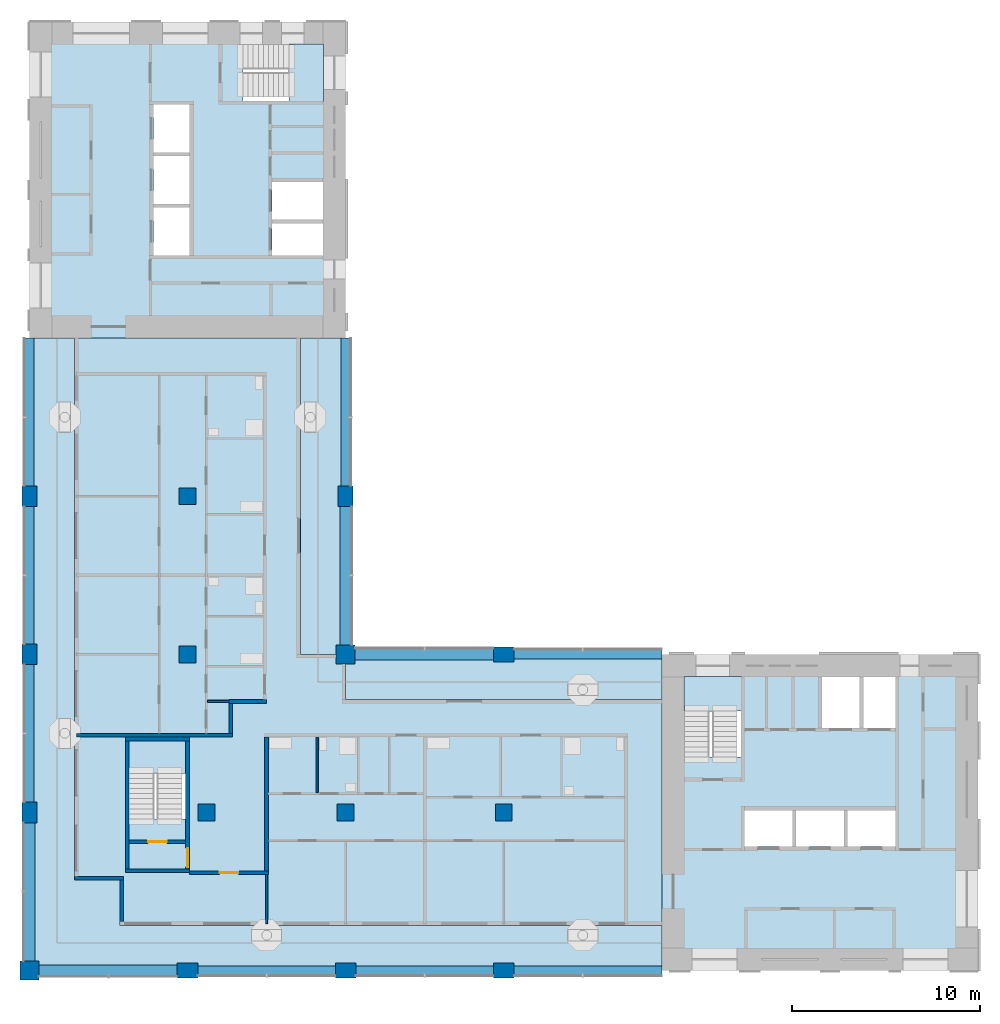
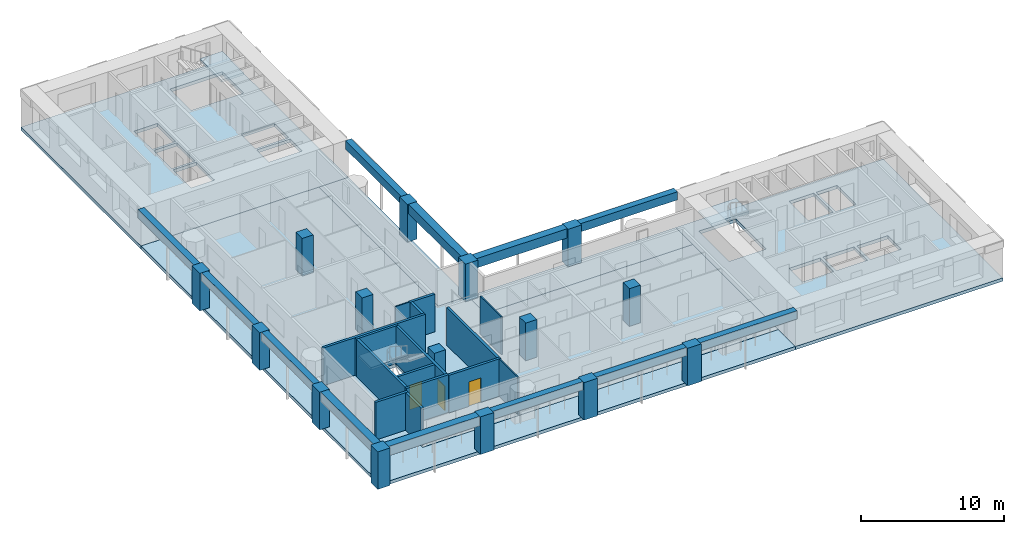
# One storey, part 1 of 12: 15 columns, 15 walls, 12 beams, 10 slabs, 3 doors, 3 openings, 3 elements without a shape of their own.
"""IFC4 building model written with IfcOpenShell, lengths in metres."""

from ifc_helpers import new_model, si_unit, direction, frame, frame_2d, origin, origin_2d, place, context, subcontext, project, spatial, polyline, rectangle, outline, extrude, material, layer, layer_set, material_profile, profile_set, type_object, element, fill, aggregate, save


model = new_model("IFC4")

# Units and contexts
model_context = context("Model", 3, precision=1e-05, world=origin(), true_north=direction((0.0, 1.0)))
body_context = subcontext(model_context, "Body", "Model", "MODEL_VIEW")
ifc_project = project(units=[si_unit("LENGTHUNIT", "METRE"), si_unit("AREAUNIT", "SQUARE_METRE"), si_unit("VOLUMEUNIT", "CUBIC_METRE"), si_unit("PLANEANGLEUNIT", "RADIAN"), si_unit("MASSUNIT", "GRAM", prefix="KILO")], contexts=[model_context])

# Site, building, storey
site_placement = place(None, origin())
site = spatial("IfcSite", under=ifc_project, at=site_placement, CompositionType="ELEMENT")
building_placement = place(site_placement, origin())
building = spatial("IfcBuilding", under=site, at=building_placement, Name="Vermilion Gate Residences", CompositionType="ELEMENT")
storey_placement = place(building_placement, frame((0.0, 0.0, 221.199951171875)))
storey = spatial("IfcBuildingStorey", under=building, at=storey_placement, Name="L57", CompositionType="ELEMENT", Elevation=221.199951171875)

# Columns
ifc_material_1 = material(Name="Concrete C50", Category="concrete")
ifc_material_profile_1 = material_profile(ifc_material_1, rectangle(XDim=1.0, YDim=1.0, at=origin_2d()), Name="RC-1000x1000")
ifc_profile_set_1 = profile_set([ifc_material_profile_1], Name="Concrete C50")
column_type_1 = type_object("IfcColumnType", Name="RC COLUMN 1000 X 1000 C50", PredefinedType="COLUMN", material=ifc_profile_set_1)
for number, where, z_axis, x_axis, name in (
    (1, (8.39990234375, 8.39990234375, 0.0), (0.0, 0.0, 1.0), (1.0, 0.0, 0.0), "Column 2-B L57"),
    (2, (25.199951171875, 25.199951171875, 0.0), (0.0, 0.0, 1.0), (1.0, 0.0, 0.0), "Column 4-D L57"),
):
    element("IfcColumn", number, at=place(storey_placement, frame(where, z_axis=z_axis, x_axis=x_axis)), inside=storey, type_object=column_type_1, Name=name, PredefinedType="COLUMN", context=body_context, shape_type="SweptSolid", body=[
        extrude(rectangle(XDim=1.0, YDim=1.0, at=origin_2d()), origin(), (0.0, 0.0, 1.0), 3.219970703125),
    ])
ifc_material_2 = material(Name="Concrete C50", Category="concrete")
ifc_material_profile_2 = material_profile(ifc_material_2, rectangle(XDim=1.10009765625, YDim=0.800048828125, at=origin_2d()), Name="RC-1100x800")
ifc_profile_set_2 = profile_set([ifc_material_profile_2], Name="Concrete C50")
column_type_2 = type_object("IfcColumnType", Name="RC COLUMN 1100 X 800 C50", PredefinedType="COLUMN", material=ifc_profile_set_2)
for number, where, z_axis, x_axis, name in (
    (3, (8.39990234375, 16.800048828125, 0.0), (0.0, 0.0, 1.0), (0.0, 1.0, 0.0), "Column 2-C L57"),
    (4, (8.39990234375, 25.199951171875, 0.0), (0.0, 0.0, 1.0), (0.0, 1.0, 0.0), "Column 2-D L57"),
    (5, (8.39990234375, 33.60009765625, 0.0), (0.0, 0.0, 1.0), (0.0, 1.0, 0.0), "Column 2-E L57"),
    (6, (16.800048828125, 8.39990234375, 0.0), (0.0, 0.0, 1.0), (1.0, 0.0, 0.0), "Column 3-B L57"),
    (7, (25.199951171875, 8.39990234375, 0.0), (0.0, 0.0, 1.0), (1.0, 0.0, 0.0), "Column 4-B L57"),
    (8, (25.199951171875, 33.60009765625, 0.0), (0.0, 0.0, 1.0), (0.0, 1.0, 0.0), "Column 4-E L57"),
    (9, (33.60009765625, 8.39990234375, 0.0), (0.0, 0.0, 1.0), (1.0, 0.0, 0.0), "Column 5-B L57"),
    (10, (33.60009765625, 25.199951171875, 0.0), (0.0, 0.0, 1.0), (1.0, 0.0, 0.0), "Column 5-D L57"),
):
    element("IfcColumn", number, at=place(storey_placement, frame(where, z_axis=z_axis, x_axis=x_axis)), inside=storey, type_object=column_type_2, Name=name, PredefinedType="COLUMN", context=body_context, shape_type="SweptSolid", body=[
        extrude(rectangle(XDim=1.10009765625, YDim=0.800048828125, at=origin_2d()), origin(), (0.0, 0.0, 1.0), 3.219970703125),
    ])
ifc_material_3 = material(Name="Concrete C50", Category="concrete")
ifc_material_profile_3 = material_profile(ifc_material_3, rectangle(XDim=0.89990234375, YDim=0.89990234375, at=origin_2d()), Name="RC-900x900")
ifc_profile_set_3 = profile_set([ifc_material_profile_3], Name="Concrete C50")
column_type_3 = type_object("IfcColumnType", Name="RC COLUMN 900 X 900 C50", PredefinedType="COLUMN", material=ifc_profile_set_3)
for number, where, z_axis, x_axis, name in (
    (11, (17.800048828125, 16.800048828125, 0.0), (0.0, 0.0, 1.0), (1.0, 0.0, 0.0), "Column 3-C L57"),
    (12, (16.800048828125, 25.199951171875, 0.0), (0.0, 0.0, 1.0), (1.0, 0.0, 0.0), "Column 3-D L57"),
    (13, (16.800048828125, 33.60009765625, 0.0), (0.0, 0.0, 1.0), (1.0, 0.0, 0.0), "Column 3-E L57"),
    (14, (25.199951171875, 16.800048828125, 0.0), (0.0, 0.0, 1.0), (1.0, 0.0, 0.0), "Column 4-C L57"),
    (15, (33.60009765625, 16.800048828125, 0.0), (0.0, 0.0, 1.0), (1.0, 0.0, 0.0), "Column 5-C L57"),
):
    element("IfcColumn", number, at=place(storey_placement, frame(where, z_axis=z_axis, x_axis=x_axis)), inside=storey, type_object=column_type_3, Name=name, PredefinedType="COLUMN", context=body_context, shape_type="SweptSolid", body=[
        extrude(rectangle(XDim=0.89990234375, YDim=0.89990234375, at=origin_2d()), origin(), (0.0, 0.0, 1.0), 3.219970703125),
    ])

# Beams
ifc_material_4 = material(Name="Concrete C60 red-oxide pigmented", Category="concrete")
ifc_material_profile_4 = material_profile(ifc_material_4, rectangle(XDim=0.60009765625, YDim=0.800048828125, at=origin_2d()), Name="RC-600x800")
ifc_profile_set_4 = profile_set([ifc_material_profile_4], Name="Concrete C60 red-oxide pigmented")
beam_type_1 = type_object("IfcBeamType", Name="RC CORNER EDGE BEAM 600 X 800 C60", PredefinedType="BEAM", material=ifc_profile_set_4)
for number, where, z_axis, x_axis, name in (
    (16, (8.89990234375, 8.39990234375, 2.820068359375), (1.0, 0.0, 0.0), (0.0, 1.0, 0.0), "Corner edge beam L57 1"),
    (17, (8.39990234375, 8.89990234375, 2.820068359375), (0.0, 1.0, 0.0), (-1.0, 0.0, 0.0), "Corner edge beam L57 2"),
    (18, (25.199951171875, 25.699951171875, 2.820068359375), (0.0, 1.0, 0.0), (-1.0, 0.0, 0.0), "Corner edge beam L57 7"),
    (19, (25.699951171875, 25.199951171875, 2.820068359375), (1.0, 0.0, 0.0), (0.0, 1.0, 0.0), "Corner edge beam L57 10"),
):
    element("IfcBeam", number, at=place(storey_placement, frame(where, z_axis=z_axis, x_axis=x_axis)), inside=storey, type_object=beam_type_1, Name=name, PredefinedType="BEAM", context=body_context, shape_type="SweptSolid", body=[
        extrude(rectangle(XDim=0.60009765625, YDim=0.800048828125, at=origin_2d()), origin(), (0.0, 0.0, 1.0), 7.35009765625),
    ])
ifc_material_5 = material(Name="Concrete C60 red-oxide pigmented", Category="concrete")
ifc_material_profile_5 = material_profile(ifc_material_5, rectangle(XDim=0.5, YDim=0.699951171875, at=origin_2d()), Name="RC-500x700")
ifc_profile_set_5 = profile_set([ifc_material_profile_5], Name="Concrete C60 red-oxide pigmented")
beam_type_2 = type_object("IfcBeamType", Name="RC EDGE BEAM 500 X 700 C60", PredefinedType="BEAM", material=ifc_profile_set_5)
beam_1_placement = place(storey_placement, frame((8.39990234375, 17.35009765625, 2.8701171875), z_axis=(0.0, 1.0, 0.0), x_axis=(-1.0, 0.0, 0.0)))
element("IfcBeam", 20, at=beam_1_placement, inside=storey, type_object=beam_type_2, Name="Edge beam L57 3", PredefinedType="BEAM", context=body_context, shape_type="SweptSolid", body=[
    extrude(rectangle(XDim=0.5, YDim=0.699951171875, at=origin_2d()), origin(), (0.0, 0.0, 1.0), 7.2998046875),
])
beam_2_placement = place(storey_placement, frame((8.39990234375, 25.75, 2.8701171875), z_axis=(0.0, 1.0, 0.0), x_axis=(-1.0, 0.0, 0.0)))
element("IfcBeam", 21, at=beam_2_placement, inside=storey, type_object=beam_type_2, Name="Edge beam L57 4", PredefinedType="BEAM", context=body_context, shape_type="SweptSolid", body=[
    extrude(rectangle(XDim=0.5, YDim=0.699951171875, at=origin_2d()), origin(), (0.0, 0.0, 1.0), 7.300048828125),
])
beam_3_placement = place(storey_placement, frame((8.39990234375, 34.14990234375, 2.8701171875), z_axis=(0.0, 1.0, 0.0), x_axis=(-1.0, 0.0, 0.0)))
element("IfcBeam", 22, at=beam_3_placement, inside=storey, type_object=beam_type_2, Name="Edge beam L57 5", PredefinedType="BEAM", context=body_context, shape_type="SweptSolid", body=[
    extrude(rectangle(XDim=0.5, YDim=0.699951171875, at=origin_2d()), origin(), (0.0, 0.0, 1.0), 7.85009765625),
])
beam_4_placement = place(storey_placement, frame((17.35009765625, 8.39990234375, 2.8701171875), z_axis=(1.0, 0.0, 0.0), x_axis=(0.0, 1.0, 0.0)))
element("IfcBeam", 23, at=beam_4_placement, inside=storey, type_object=beam_type_2, Name="Edge beam L57 6", PredefinedType="BEAM", context=body_context, shape_type="SweptSolid", body=[
    extrude(rectangle(XDim=0.5, YDim=0.699951171875, at=origin_2d()), origin(), (0.0, 0.0, 1.0), 7.2998046875),
])
beam_5_placement = place(storey_placement, frame((25.199951171875, 34.14990234375, 2.8701171875), z_axis=(0.0, 1.0, 0.0), x_axis=(-1.0, 0.0, 0.0)))
element("IfcBeam", 24, at=beam_5_placement, inside=storey, type_object=beam_type_2, Name="Edge beam L57 8", PredefinedType="BEAM", context=body_context, shape_type="SweptSolid", body=[
    extrude(rectangle(XDim=0.5, YDim=0.699951171875, at=origin_2d()), origin(), (0.0, 0.0, 1.0), 7.85009765625),
])
beam_6_placement = place(storey_placement, frame((25.75, 8.39990234375, 2.8701171875), z_axis=(1.0, 0.0, 0.0), x_axis=(0.0, 1.0, 0.0)))
element("IfcBeam", 25, at=beam_6_placement, inside=storey, type_object=beam_type_2, Name="Edge beam L57 9", PredefinedType="BEAM", context=body_context, shape_type="SweptSolid", body=[
    extrude(rectangle(XDim=0.5, YDim=0.699951171875, at=origin_2d()), origin(), (0.0, 0.0, 1.0), 7.300048828125),
])
for number, where, z_axis, x_axis, name in (
    (26, (34.14990234375, 8.39990234375, 2.8701171875), (1.0, 0.0, 0.0), (0.0, 1.0, 0.0), "Edge beam L57 11"),
    (27, (34.14990234375, 25.199951171875, 2.8701171875), (1.0, 0.0, 0.0), (0.0, 1.0, 0.0), "Edge beam L57 12"),
):
    element("IfcBeam", number, at=place(storey_placement, frame(where, z_axis=z_axis, x_axis=x_axis)), inside=storey, type_object=beam_type_2, Name=name, PredefinedType="BEAM", context=body_context, shape_type="SweptSolid", body=[
        extrude(rectangle(XDim=0.5, YDim=0.699951171875, at=origin_2d()), origin(), (0.0, 0.0, 1.0), 7.85009765625),
    ])

# Slabs
ifc_material_6 = material(Name="Concrete C50", Category="concrete")
ifc_layer_1 = layer(ifc_material_6, 0.280029296875)
ifc_layer_set_1 = layer_set([ifc_layer_1], Name="RC CORE FLOOR SLAB 280 C50")
slab_type_1 = type_object("IfcSlabType", Name="RC CORE FLOOR SLAB 280 C50", PredefinedType="FLOOR", material=ifc_layer_set_1)
slab_1_placement = place(storey_placement, frame((0.0, 0.0, -0.280029296875)))
element("IfcSlab", 28, at=slab_1_placement, inside=storey, type_object=slab_type_1, Name="Core floor slab A57", PredefinedType="FLOOR", context=body_context, shape_type="SweptSolid", body=[
    extrude(outline(polyline([(42.0, 8.39990234375), (58.800048828125, 8.39990234375), (58.800048828125, 25.199951171875), (42.0, 25.199951171875), (42.0, 8.39990234375)]), holes=[polyline([(46.39990234375, 15.0), (46.39990234375, 16.89990234375), (48.933349609375, 16.89990234375), (48.933349609375, 15.0), (46.39990234375, 15.0)]), polyline([(49.13330078125, 16.89990234375), (51.666748046875, 16.89990234375), (51.666748046875, 15.0), (49.13330078125, 15.0), (49.13330078125, 16.89990234375)]), polyline([(51.86669921875, 16.89990234375), (54.39990234375, 16.89990234375), (54.39990234375, 15.0), (51.86669921875, 15.0), (51.86669921875, 16.89990234375)]), polyline([(43.199951171875, 19.75), (43.199951171875, 24.0), (46.199951171875, 24.0), (46.199951171875, 19.75), (43.199951171875, 19.75)]), polyline([(50.5, 24.0), (52.5, 24.0), (52.5, 21.300048828125), (50.5, 21.300048828125), (50.5, 24.0)]), polyline([(52.699951171875, 24.0), (54.39990234375, 24.0), (54.39990234375, 21.300048828125), (52.699951171875, 21.300048828125), (52.699951171875, 24.0)])]), origin(), (0.0, 0.0, 1.0), 0.280029296875),
])
slab_2_placement = place(storey_placement, frame((0.0, 0.0, -0.280029296875)))
element("IfcSlab", 29, at=slab_2_placement, inside=storey, type_object=slab_type_1, Name="Core floor slab B57", PredefinedType="FLOOR", context=body_context, shape_type="SweptSolid", body=[
    extrude(outline(polyline([(8.39990234375, 42.0), (25.199951171875, 42.0), (25.199951171875, 58.800048828125), (8.39990234375, 58.800048828125), (8.39990234375, 42.0)]), holes=[polyline([(21.300048828125, 46.39990234375), (21.300048828125, 48.10009765625), (24.0, 48.10009765625), (24.0, 46.39990234375), (21.300048828125, 46.39990234375)]), polyline([(15.0, 48.933349609375), (16.89990234375, 48.933349609375), (16.89990234375, 46.39990234375), (15.0, 46.39990234375), (15.0, 48.933349609375)]), polyline([(21.300048828125, 50.300048828125), (24.0, 50.300048828125), (24.0, 48.300048828125), (21.300048828125, 48.300048828125), (21.300048828125, 50.300048828125)]), polyline([(15.0, 49.13330078125), (15.0, 51.666748046875), (16.89990234375, 51.666748046875), (16.89990234375, 49.13330078125), (15.0, 49.13330078125)]), polyline([(15.0, 54.39990234375), (16.89990234375, 54.39990234375), (16.89990234375, 51.86669921875), (15.0, 51.86669921875), (15.0, 54.39990234375)]), polyline([(19.75, 57.60009765625), (24.0, 57.60009765625), (24.0, 54.60009765625), (19.75, 54.60009765625), (19.75, 57.60009765625)])]), origin(), (0.0, 0.0, 1.0), 0.280029296875),
])
slab_3_placement = place(storey_placement, frame((0.0, 0.0, -0.280029296875)))
element("IfcSlab", 30, at=slab_3_placement, inside=storey, type_object=slab_type_1, Name="Apex stair floor slab 57", PredefinedType="FLOOR", context=body_context, shape_type="SweptSolid", body=[
    extrude(outline(polyline([(13.5, 13.60009765625), (16.89990234375, 13.60009765625), (16.89990234375, 20.800048828125), (13.5, 20.800048828125), (13.5, 13.60009765625)]), holes=[polyline([(16.699951171875, 20.60009765625), (16.699951171875, 16.449951171875), (13.699951171875, 16.449951171875), (13.699951171875, 20.60009765625), (16.699951171875, 20.60009765625)])]), origin(), (0.0, 0.0, 1.0), 0.280029296875),
])
ifc_material_7 = material(Name="Concrete C50", Category="concrete")
ifc_layer_2 = layer(ifc_material_7, 0.280029296875)
ifc_layer_set_2 = layer_set([ifc_layer_2], Name="RC FLAT PLATE 280 C50")
slab_type_2 = type_object("IfcSlabType", Name="RC FLAT PLATE 280 C50", PredefinedType="FLOOR", material=ifc_layer_set_2)
slab_4_placement = place(storey_placement, frame((0.0, 0.0, -0.280029296875)))
element("IfcSlab", 31, at=slab_4_placement, inside=storey, type_object=slab_type_2, Name="Floor slab L57", PredefinedType="FLOOR", context=body_context, shape_type="SweptSolid", body=[
    extrude(outline(polyline([(22.800048828125, 25.199951171875), (22.800048828125, 42.0), (10.800048828125, 42.0), (10.800048828125, 13.199951171875), (13.199951171875, 13.199951171875), (13.199951171875, 10.800048828125), (42.0, 10.800048828125), (42.0, 22.800048828125), (25.199951171875, 22.800048828125), (25.199951171875, 25.199951171875), (22.800048828125, 25.199951171875)]), holes=[polyline([(13.5, 13.60009765625), (13.5, 20.800048828125), (16.89990234375, 20.800048828125), (16.89990234375, 13.60009765625), (13.5, 13.60009765625)])]), origin(), (0.0, 0.0, 1.0), 0.280029296875),
])
ifc_material_8 = material(Name="Concrete C50 red-oxide pigmented", Category="concrete")
ifc_layer_3 = layer(ifc_material_8, 0.280029296875)
ifc_layer_set_3 = layer_set([ifc_layer_3], Name="RC LOGGIA SLAB 280 C50")
slab_type_3 = type_object("IfcSlabType", Name="RC LOGGIA SLAB 280 C50", PredefinedType="FLOOR", material=ifc_layer_set_3)
slab_5_placement = place(storey_placement, frame((0.0, 0.0, -0.280029296875)))
element("IfcSlab", 32, at=slab_5_placement, inside=storey, type_object=slab_type_3, Name="Loggia slab L57", PredefinedType="FLOOR", context=body_context, shape_type="SweptSolid", body=[
    extrude(outline(polyline([(8.39990234375, 8.39990234375), (42.0, 8.39990234375), (42.0, 10.800048828125), (13.199951171875, 10.800048828125), (13.199951171875, 13.199951171875), (10.800048828125, 13.199951171875), (10.800048828125, 42.0), (8.39990234375, 42.0), (8.39990234375, 8.39990234375)])), origin(), (0.0, 0.0, 1.0), 0.280029296875),
])
slab_6_placement = place(storey_placement, frame((0.0, 0.0, -0.280029296875)))
element("IfcSlab", 33, at=slab_6_placement, inside=storey, type_object=slab_type_3, Name="Loggia slab L57", PredefinedType="FLOOR", context=body_context, shape_type="SweptSolid", body=[
    extrude(outline(polyline([(25.199951171875, 22.800048828125), (42.0, 22.800048828125), (42.0, 25.199951171875), (25.199951171875, 25.199951171875), (25.199951171875, 22.800048828125)])), origin(), (0.0, 0.0, 1.0), 0.280029296875),
])
slab_7_placement = place(storey_placement, frame((0.0, 0.0, -0.280029296875)))
element("IfcSlab", 34, at=slab_7_placement, inside=storey, type_object=slab_type_3, Name="Loggia slab L57", PredefinedType="FLOOR", context=body_context, shape_type="SweptSolid", body=[
    extrude(outline(polyline([(25.199951171875, 42.0), (22.800048828125, 42.0), (22.800048828125, 25.199951171875), (25.199951171875, 25.199951171875), (25.199951171875, 42.0)])), origin(), (0.0, 0.0, 1.0), 0.280029296875),
])

# Stair, slab
ifc_material_9 = material(Name="Concrete C50", Category="concrete")
stair_type = type_object("IfcStairType", Name="SPECIAL ESCAPE STAIR 1300", PredefinedType="HALF_TURN_STAIR", material=ifc_material_9)
stair_1_placement = place(storey_placement, origin())
stair_1 = element("IfcStair", 35, at=stair_1_placement, inside=storey, type_object=stair_type, Name="Special escape stair STA1-57", PredefinedType="HALF_TURN_STAIR")
ifc_material_10 = material(Name="Concrete C50", Category="concrete")
ifc_layer_4 = layer(ifc_material_10, 0.199951171875)
ifc_layer_set_4 = layer_set([ifc_layer_4], Name="STAIR LANDING 200 C50")
slab_type_4 = type_object("IfcSlabType", Name="STAIR LANDING 200 C50", PredefinedType="LANDING", material=ifc_layer_set_4)
slab_8_placement = place(storey_placement, frame((0.0, 0.0, 1.550048828125)))
slab_8 = element("IfcSlab", 36, at=slab_8_placement, type_object=slab_type_4, Name="STA1-57 landing 1", PredefinedType="LANDING", context=body_context, shape_type="SweptSolid", body=[
    extrude(outline(polyline([(46.219970703125, 22.179931640625), (46.219970703125, 24.02001953125), (43.179931640625, 24.02001953125), (43.179931640625, 22.179931640625), (46.219970703125, 22.179931640625)])), origin(), (0.0, 0.0, 1.0), 0.199951171875),
])
aggregate(stair_1, [slab_8])

stair_2_placement = place(storey_placement, origin())
stair_2 = element("IfcStair", 37, at=stair_2_placement, inside=storey, type_object=stair_type, Name="Special escape stair STB1-57", PredefinedType="HALF_TURN_STAIR")
slab_9_placement = place(storey_placement, frame((0.0, 0.0, 1.550048828125)))
slab_9 = element("IfcSlab", 38, at=slab_9_placement, type_object=slab_type_4, Name="STB1-57 landing 1", PredefinedType="LANDING", context=body_context, shape_type="SweptSolid", body=[
    extrude(outline(polyline([(24.02001953125, 54.580078125), (24.02001953125, 57.6201171875), (22.179931640625, 57.6201171875), (22.179931640625, 54.580078125), (24.02001953125, 54.580078125)])), origin(), (0.0, 0.0, 1.0), 0.199951171875),
])
aggregate(stair_2, [slab_9])

stair_3_placement = place(storey_placement, origin())
stair_3 = element("IfcStair", 39, at=stair_3_placement, inside=storey, type_object=stair_type, Name="Special escape stair STC1-57", PredefinedType="HALF_TURN_STAIR")
slab_10_placement = place(storey_placement, frame((0.0, 0.0, 1.550048828125)))
slab_10 = element("IfcSlab", 40, at=slab_10_placement, type_object=slab_type_4, Name="STC1-57 landing 1", PredefinedType="LANDING", context=body_context, shape_type="SweptSolid", body=[
    extrude(outline(polyline([(16.719970703125, 18.8798828125), (16.719970703125, 20.6201171875), (13.679931640625, 20.6201171875), (13.679931640625, 18.8798828125), (16.719970703125, 18.8798828125)])), origin(), (0.0, 0.0, 1.0), 0.199951171875),
])
aggregate(stair_3, [slab_10])

# Walls
ifc_material_11 = material(Name="Insulated steel stud wall with terracotta rainscreen", Category="masonry")
ifc_layer_5 = layer(ifc_material_11, 0.199951171875)
ifc_layer_set_5 = layer_set([ifc_layer_5], Name="EXTERNAL WALL 200 TERRACOTTA RAINSCREEN")
wall_type_1 = type_object("IfcWallType", Name="EXTERNAL WALL 200 TERRACOTTA RAINSCREEN", PredefinedType="SOLIDWALL", material=ifc_layer_set_5)
wall_1_placement = place(storey_placement, frame((10.800048828125, 13.300048828125, 0.0), z_axis=(0.0, 0.0, 1.0), x_axis=(1.0, 0.0, 0.0)))
element("IfcWall", 41, at=wall_1_placement, inside=storey, type_object=wall_type_1, Name="External wall", PredefinedType="SOLIDWALL", context=body_context, shape_type="SweptSolid", body=[
    extrude(rectangle(XDim=2.599853515625, YDim=0.199951171875, at=frame_2d((1.2998046875, 0.0))), origin(), (0.0, 0.0, 1.0), 3.219970703125),
])
wall_2_placement = place(storey_placement, frame((13.300048828125, 13.199951171875, 0.0), z_axis=(0.0, 0.0, 1.0), x_axis=(0.0, -1.0, 0.0)))
element("IfcWall", 42, at=wall_2_placement, inside=storey, type_object=wall_type_1, Name="External wall", PredefinedType="SOLIDWALL", context=body_context, shape_type="SweptSolid", body=[
    extrude(rectangle(XDim=2.199951171875, YDim=0.199951171875, at=frame_2d((1.10009765625, 0.0))), origin(), (0.0, 0.0, 1.0), 3.219970703125),
])
ifc_material_12 = material(Name="Plasterboard on steel studs", Category="steel")
ifc_layer_6 = layer(ifc_material_12, 0.10009765625)
ifc_layer_set_6 = layer_set([ifc_layer_6], Name="PARTITION 100")
wall_type_2 = type_object("IfcWallType", Name="PARTITION 100", PredefinedType="PARTITIONING", material=ifc_layer_set_6)
wall_3_placement = place(storey_placement, frame((17.85009765625, 22.699951171875, 0.0), z_axis=(0.0, 0.0, 1.0), x_axis=(1.0, 0.0, 0.0)))
element("IfcWall", 43, at=wall_3_placement, inside=storey, type_object=wall_type_2, Name="Partition", PredefinedType="PARTITIONING", context=body_context, shape_type="SweptSolid", body=[
    extrude(rectangle(XDim=1.14990234375, YDim=0.10009765625, at=frame_2d((0.574951171875, 0.0))), origin(), (0.0, 0.0, 1.0), 3.219970703125),
])
wall_4_placement = place(storey_placement, frame((21.0, 10.89990234375, 0.0), z_axis=(0.0, 0.0, 1.0), x_axis=(0.0, 1.0, 0.0)))
element("IfcWall", 44, at=wall_4_placement, inside=storey, type_object=wall_type_2, Name="Partition", PredefinedType="PARTITIONING", context=body_context, shape_type="SweptSolid", body=[
    extrude(rectangle(XDim=2.60009765625, YDim=0.10009765625, at=frame_2d((1.300048828125, 0.0))), origin(), (0.0, 0.0, 1.0), 3.219970703125),
])
wall_5_placement = place(storey_placement, frame((23.68408203125, 17.85009765625, 0.0), z_axis=(0.0, 0.0, 1.0), x_axis=(0.0, 1.0, 0.0)))
element("IfcWall", 45, at=wall_5_placement, inside=storey, type_object=wall_type_2, Name="Partition", PredefinedType="PARTITIONING", context=body_context, shape_type="SweptSolid", body=[
    extrude(rectangle(XDim=2.949951171875, YDim=0.10009765625, at=frame_2d((1.47509765625, 0.0))), origin(), (0.0, 0.0, 1.0), 3.219970703125),
])

# Wall, opening, door
ifc_material_13 = material(Name="Fire-rated plasterboard on steel studs", Category="steel")
ifc_layer_7 = layer(ifc_material_13, 0.199951171875)
ifc_layer_set_7 = layer_set([ifc_layer_7], Name="PARTY WALL 200 EI 120")
wall_type_3 = type_object("IfcWallType", Name="PARTY WALL 200 EI 120", PredefinedType="PARTITIONING", material=ifc_layer_set_7)
wall_6_placement = place(storey_placement, frame((16.89990234375, 13.60009765625, 0.0), z_axis=(0.0, 0.0, 1.0), x_axis=(1.0, 0.0, 0.0)))
wall_6 = element("IfcWall", 46, at=wall_6_placement, inside=storey, type_object=wall_type_3, Name="Party and corridor wall", PredefinedType="PARTITIONING", context=body_context, shape_type="SweptSolid", body=[
    extrude(rectangle(XDim=4.2001953125, YDim=0.199951171875, at=frame_2d((2.10009765625, 0.0))), origin(), (0.0, 0.0, 1.0), 3.219970703125),
])
opening_1_placement = place(wall_6_placement, frame((1.60009765625, 0.0, 0.0)))
opening_1 = element("IfcOpeningElement", 47, at=opening_1_placement, cuts=wall_6, Name="Opening DA55001", PredefinedType="OPENING", context=body_context, shape_type="SweptSolid", body=[
    extrude(rectangle(XDim=1.0, YDim=2.10009765625, at=frame_2d((0.5, 1.050048828125))), frame((0.0, 0.10986328125, 0.0), z_axis=(0.0, -1.0, 0.0), x_axis=(1.0, 0.0, 0.0)), (0.0, 0.0, 1.0), 0.219970703125),
])
ifc_material_14 = material(Name="Steel", Category="steel")
door_type_1 = type_object("IfcDoorType", Name="ENTRANCE DOOR 1000 X 2100 FD30", OperationType="SINGLE_SWING_LEFT", PredefinedType="DOOR", material=ifc_material_14)
door_1_placement = place(opening_1_placement, frame((1.0, 0.0, 0.0), z_axis=(0.0, 0.0, 1.0), x_axis=(-1.0, 0.0, 0.0)))
door_1 = element("IfcDoor", 48, at=door_1_placement, inside=storey, type_object=door_type_1, Name="Entrance door", OperationType="SINGLE_SWING_LEFT", OverallHeight=2.10009765625, OverallWidth=1.0, PredefinedType="DOOR", context=body_context, shape_type="SweptSolid", body=[
    extrude(rectangle(XDim=1.0, YDim=2.10009765625, at=frame_2d((0.5, 1.050048828125))), frame((0.0, 0.02490234375, 0.0), z_axis=(0.0, -1.0, 0.0), x_axis=(1.0, 0.0, 0.0)), (0.0, 0.0, 1.0), 0.050048828125),
])
fill(opening_1, door_1)

# Walls
wall_7_placement = place(storey_placement, frame((10.89990234375, 20.89990234375, 0.0), z_axis=(0.0, 0.0, 1.0), x_axis=(1.0, 0.0, 0.0)))
element("IfcWall", 49, at=wall_7_placement, inside=storey, type_object=wall_type_3, Name="Party and corridor wall", PredefinedType="PARTITIONING", context=body_context, shape_type="SweptSolid", body=[
    extrude(rectangle(XDim=8.300048828125, YDim=0.199951171875, at=frame_2d((4.14990234375, 0.0))), origin(), (0.0, 0.0, 1.0), 3.219970703125),
])
wall_8_placement = place(storey_placement, frame((19.0, 22.699951171875, 0.0), z_axis=(0.0, 0.0, 1.0), x_axis=(1.0, 0.0, 0.0)))
element("IfcWall", 50, at=wall_8_placement, inside=storey, type_object=wall_type_3, Name="Party and corridor wall", PredefinedType="PARTITIONING", context=body_context, shape_type="SweptSolid", body=[
    extrude(rectangle(XDim=2.0, YDim=0.199951171875, at=frame_2d((1.0, 0.0))), origin(), (0.0, 0.0, 1.0), 3.219970703125),
])
wall_9_placement = place(storey_placement, frame((19.10009765625, 21.0, 0.0), z_axis=(0.0, 0.0, 1.0), x_axis=(0.0, 1.0, 0.0)))
element("IfcWall", 51, at=wall_9_placement, inside=storey, type_object=wall_type_3, Name="Party and corridor wall", PredefinedType="PARTITIONING", context=body_context, shape_type="SweptSolid", body=[
    extrude(rectangle(XDim=1.60009765625, YDim=0.199951171875, at=frame_2d((0.800048828125, 0.0))), origin(), (0.0, 0.0, 1.0), 3.219970703125),
])
wall_10_placement = place(storey_placement, frame((21.0, 13.699951171875, 0.0), z_axis=(0.0, 0.0, 1.0), x_axis=(0.0, 1.0, 0.0)))
element("IfcWall", 52, at=wall_10_placement, inside=storey, type_object=wall_type_3, Name="Party and corridor wall", PredefinedType="PARTITIONING", context=body_context, shape_type="SweptSolid", body=[
    extrude(rectangle(XDim=7.10009765625, YDim=0.199951171875, at=frame_2d((3.550048828125, 0.0))), origin(), (0.0, 0.0, 1.0), 3.219970703125),
])
ifc_material_15 = material(Name="Concrete C60", Category="concrete")
ifc_layer_8 = layer(ifc_material_15, 0.199951171875)
ifc_layer_set_8 = layer_set([ifc_layer_8], Name="RC CORE INTERNAL WALL 200 C60")
wall_type_4 = type_object("IfcWallType", Name="RC CORE INTERNAL WALL 200 C60", PredefinedType="SHEAR", material=ifc_layer_set_8)
wall_11_placement = place(storey_placement, frame((13.60009765625, 13.800048828125, 0.0), z_axis=(0.0, 0.0, 1.0), x_axis=(0.0, 1.0, 0.0)))
element("IfcWall", 53, at=wall_11_placement, inside=storey, type_object=wall_type_4, Name="Core internal wall C57-W", PredefinedType="SHEAR", context=body_context, shape_type="SweptSolid", body=[
    extrude(rectangle(XDim=6.800048828125, YDim=0.199951171875, at=frame_2d((3.39990234375, 0.0))), origin(), (0.0, 0.0, 1.0), 3.219970703125),
])

# Wall, opening, door
wall_12_placement = place(storey_placement, frame((16.800048828125, 13.800048828125, 0.0), z_axis=(0.0, 0.0, 1.0), x_axis=(0.0, 1.0, 0.0)))
wall_12 = element("IfcWall", 54, at=wall_12_placement, inside=storey, type_object=wall_type_4, Name="Core internal wall C57-E", PredefinedType="SHEAR", context=body_context, shape_type="SweptSolid", body=[
    extrude(rectangle(XDim=6.800048828125, YDim=0.199951171875, at=frame_2d((3.39990234375, 0.0))), origin(), (0.0, 0.0, 1.0), 3.219970703125),
])
opening_2_placement = place(wall_12_placement, frame((0.10009765625, 0.0, 0.0)))
opening_2 = element("IfcOpeningElement", 55, at=opening_2_placement, cuts=wall_12, Name="Opening DK57201", PredefinedType="OPENING", context=body_context, shape_type="SweptSolid", body=[
    extrude(rectangle(XDim=1.0, YDim=2.10009765625, at=frame_2d((0.5, 1.050048828125))), frame((0.0, 0.10986328125, 0.0), z_axis=(0.0, -1.0, 0.0), x_axis=(1.0, 0.0, 0.0)), (0.0, 0.0, 1.0), 0.219970703125),
])
ifc_material_16 = material(Name="Steel", Category="steel")
door_type_2 = type_object("IfcDoorType", Name="FIRE DOOR FD60 1000 X 2100", OperationType="SINGLE_SWING_LEFT", PredefinedType="DOOR", material=ifc_material_16)
door_2_placement = place(opening_2_placement, frame((1.0, 0.0, 0.0), z_axis=(0.0, 0.0, 1.0), x_axis=(-1.0, 0.0, 0.0)))
door_2 = element("IfcDoor", 56, at=door_2_placement, inside=storey, type_object=door_type_2, Name="Stair vestibule door C57", OperationType="SINGLE_SWING_RIGHT", OverallHeight=2.10009765625, OverallWidth=1.0, PredefinedType="DOOR", context=body_context, shape_type="SweptSolid", body=[
    extrude(rectangle(XDim=1.0, YDim=2.10009765625, at=frame_2d((0.5, 1.050048828125))), frame((0.0, 0.02490234375, 0.0), z_axis=(0.0, -1.0, 0.0), x_axis=(1.0, 0.0, 0.0)), (0.0, 0.0, 1.0), 0.050048828125),
])
fill(opening_2, door_2)

# Walls
for number, where, z_axis, x_axis, name in (
    (57, (13.5, 13.699951171875, 0.0), (0.0, 0.0, 1.0), (1.0, 0.0, 0.0), "Core internal wall C57-S"),
    (58, (13.5, 20.699951171875, 0.0), (0.0, 0.0, 1.0), (1.0, 0.0, 0.0), "Core internal wall C57-N"),
):
    element("IfcWall", number, at=place(storey_placement, frame(where, z_axis=z_axis, x_axis=x_axis)), inside=storey, type_object=wall_type_4, Name=name, PredefinedType="SHEAR", context=body_context, shape_type="SweptSolid", body=[
        extrude(rectangle(XDim=3.39990234375, YDim=0.199951171875, at=frame_2d((1.699951171875, 0.0))), origin(), (0.0, 0.0, 1.0), 3.219970703125),
    ])

# Wall, opening, door
wall_13_placement = place(storey_placement, frame((13.699951171875, 15.25, 0.0), z_axis=(0.0, 0.0, 1.0), x_axis=(1.0, 0.0, 0.0)))
wall_13 = element("IfcWall", 59, at=wall_13_placement, inside=storey, type_object=wall_type_4, Name="Core internal wall C57-P", PredefinedType="SHEAR", context=body_context, shape_type="SweptSolid", body=[
    extrude(rectangle(XDim=3.0, YDim=0.199951171875, at=frame_2d((1.5, 0.0))), origin(), (0.0, 0.0, 1.0), 3.219970703125),
])
opening_3_placement = place(wall_13_placement, frame((1.0, 0.0, 0.0)))
opening_3 = element("IfcOpeningElement", 60, at=opening_3_placement, cuts=wall_13, Name="Opening DK57202", PredefinedType="OPENING", context=body_context, shape_type="SweptSolid", body=[
    extrude(rectangle(XDim=1.0, YDim=2.10009765625, at=frame_2d((0.5, 1.050048828125))), frame((0.0, 0.10986328125, 0.0), z_axis=(0.0, -1.0, 0.0), x_axis=(1.0, 0.0, 0.0)), (0.0, 0.0, 1.0), 0.219970703125),
])
door_3_placement = place(opening_3_placement, origin())
door_3 = element("IfcDoor", 61, at=door_3_placement, inside=storey, type_object=door_type_2, Name="Stair door C57", OperationType="SINGLE_SWING_LEFT", OverallHeight=2.10009765625, OverallWidth=1.0, PredefinedType="DOOR", context=body_context, shape_type="SweptSolid", body=[
    extrude(rectangle(XDim=1.0, YDim=2.10009765625, at=frame_2d((0.5, 1.050048828125))), frame((0.0, 0.02490234375, 0.0), z_axis=(0.0, -1.0, 0.0), x_axis=(1.0, 0.0, 0.0)), (0.0, 0.0, 1.0), 0.050048828125),
])
fill(opening_3, door_3)

save(model, "model.ifc")
